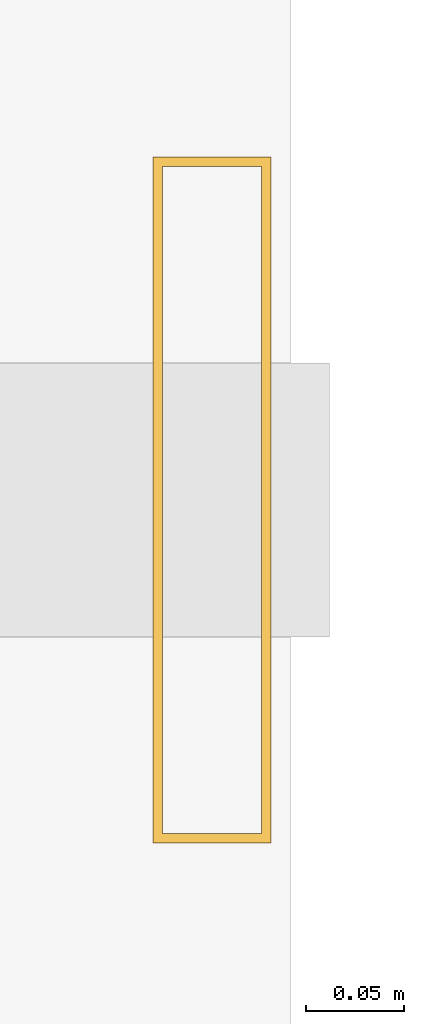
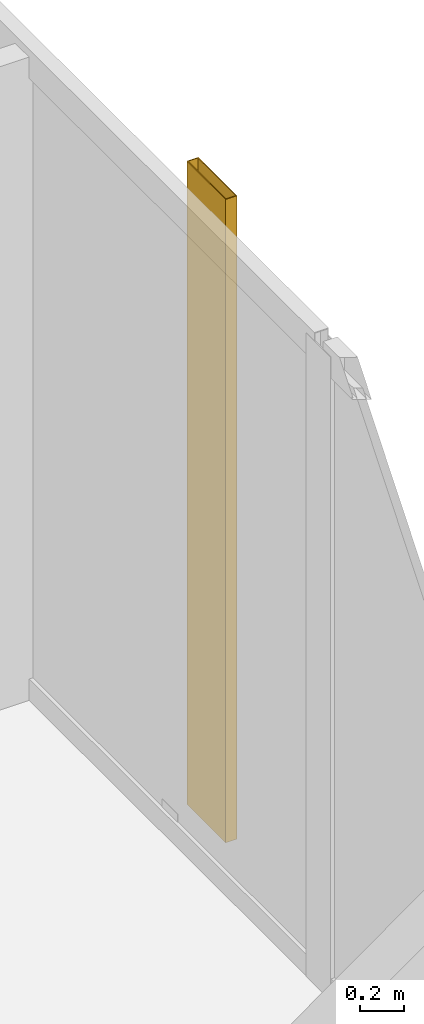
# One storey, part 26 of 26: 1 shading device.
"""IFC4 building model written with IfcOpenShell, lengths in metres."""

from ifc_helpers import new_model, si_unit, direction, frame, origin, origin_2d, place, context, subcontext, project, spatial, hollow_rectangle, extrude, material, material_profile, profile_set, type_object, element, save


model = new_model("IFC4")

# Units and contexts
model_context = context("Model", 3, precision=1e-05, world=origin(), true_north=direction((0.0, 1.0)))
body_context = subcontext(model_context, "Body", "Model", "MODEL_VIEW")
ifc_project = project(units=[si_unit("LENGTHUNIT", "METRE"), si_unit("AREAUNIT", "SQUARE_METRE"), si_unit("VOLUMEUNIT", "CUBIC_METRE"), si_unit("PLANEANGLEUNIT", "RADIAN"), si_unit("MASSUNIT", "GRAM", prefix="KILO")], contexts=[model_context])

# Site, building, storey
site_placement = place(None, origin())
site = spatial("IfcSite", under=ifc_project, at=site_placement, CompositionType="ELEMENT")
building_placement = place(site_placement, origin())
building = spatial("IfcBuilding", under=site, at=building_placement, Name="Kolvaren Waterfront Exchange", CompositionType="ELEMENT")
storey_placement = place(building_placement, frame((0.0, 0.0, 110.699951171875)))
storey = spatial("IfcBuildingStorey", under=building, at=storey_placement, Name="L28", CompositionType="ELEMENT", Elevation=110.699951171875)

# Shading device
ifc_material = material(Name="Anodised bronze aluminium 6063-T6", Category="aluminium")
ifc_material_profile = material_profile(ifc_material, hollow_rectangle(XDim=0.06005859375, YDim=0.35009765625, WallThickness=0.0048828125, at=origin_2d()), Name="BRZ-FIN-350x60x5")
ifc_profile_set = profile_set([ifc_material_profile], Name="Anodised bronze aluminium 6063-T6")
shading_device_type = type_object("IfcShadingDeviceType", Name="ARC-FIN-350", PredefinedType="USERDEFINED", material=ifc_profile_set)
shading_device_placement = place(storey_placement, frame((23.9599609375, 37.60009765625, 0.0), z_axis=(0.0, 0.0, 1.0), x_axis=(1.0, 0.0, 0.0)))
element("IfcShadingDevice", 1, at=shading_device_placement, inside=storey, type_object=shading_device_type, Name="L28 anodised bronze solar shading fin FIN-L28-E3", ObjectType="SOLAR FIN", PredefinedType="USERDEFINED", context=body_context, shape_type="SweptSolid", body=[
    extrude(hollow_rectangle(XDim=0.06005859375, YDim=0.35009765625, WallThickness=0.0048828125, at=origin_2d()), origin(), (0.0, 0.0, 1.0), 3.5400390625),
])

save(model, "model.ifc")
